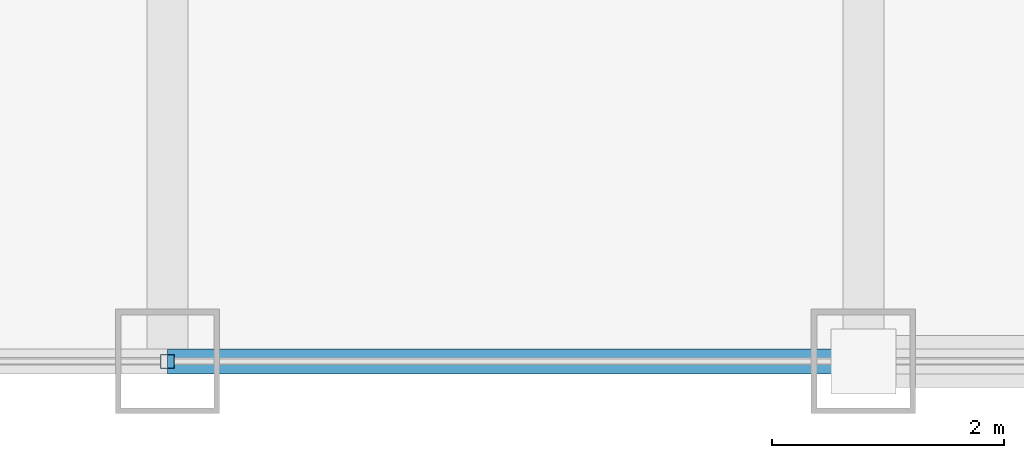
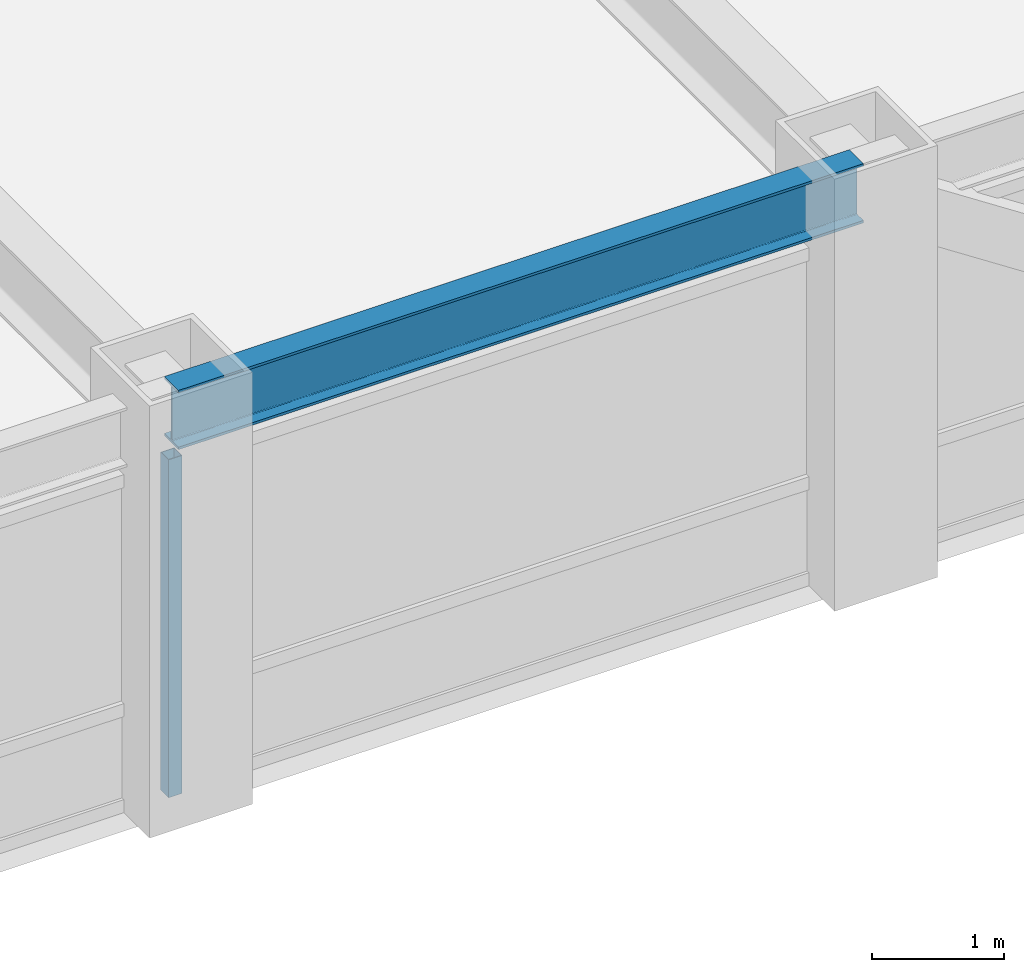
# One storey, part 4 of 22: 1 beam, 1 member, 1 element without a shape of its own.
"""IFC4 building model written with IfcOpenShell, lengths in metres."""

from ifc_helpers import new_model, si_unit, direction, frame, origin, origin_2d, place, context, subcontext, project, spatial, hollow_rectangle, i_section, extrude, source, transform, mapped, material, material_profile, profile_set, type_object, element, aggregate, save


model = new_model("IFC4")

# Units and contexts
model_context = context("Model", 3, precision=1e-05, world=origin(), true_north=direction((0.0, 1.0)))
body_context = subcontext(model_context, "Body", "Model", "MODEL_VIEW")
ifc_project = project(units=[si_unit("LENGTHUNIT", "METRE"), si_unit("AREAUNIT", "SQUARE_METRE"), si_unit("VOLUMEUNIT", "CUBIC_METRE"), si_unit("PLANEANGLEUNIT", "RADIAN"), si_unit("MASSUNIT", "GRAM", prefix="KILO")], contexts=[model_context])

# Site, building, storey
site_placement = place(None, origin())
site = spatial("IfcSite", under=ifc_project, at=site_placement, CompositionType="ELEMENT")
building_placement = place(site_placement, origin())
building = spatial("IfcBuilding", under=site, at=building_placement, Name="Khorayat Bourse Tower", CompositionType="ELEMENT")
storey_placement = place(building_placement, frame((0.0, 0.0, 305.5)))
storey = spatial("IfcBuildingStorey", under=building, at=storey_placement, Name="L72", CompositionType="ELEMENT", Elevation=305.5)

# Beam
ifc_material_1 = material(Name="Steel ASTM A992 Grade 50", Category="steel")
ifc_material_profile_1 = material_profile(ifc_material_1, i_section(OverallWidth=0.214111328125, OverallDepth=0.549072265625, WebThickness=0.0146484375, FlangeThickness=0.023681640625, FilletRadius=0.013916015625, at=origin_2d()), Name="W530X138")
ifc_profile_set_1 = profile_set([ifc_material_profile_1], Name="Steel ASTM A992 Grade 50")
beam_type = type_object("IfcBeamType", Name="BM-SPAN-530", PredefinedType="SPANDREL", material=ifc_profile_set_1)
shared_shape_1 = source(origin(), body_context, "Body", "SweptSolid", [
    extrude(i_section(OverallWidth=0.214111328125, OverallDepth=0.549072265625, WebThickness=0.0146484375, FlangeThickness=0.023681640625, FilletRadius=0.013916015625, at=origin_2d()), origin(), (0.0, 0.0, 1.0), 6.0),
])
beam_placement = place(storey_placement, frame((0.0, -28.0, 3.505615234375), z_axis=(1.0, 0.0, 0.0), x_axis=(0.0, 1.0, 0.0)))
element("IfcBeam", 1, at=beam_placement, inside=storey, type_object=beam_type, Name="L72 BM-SPAN-530 BM-L72-SPN-028", PredefinedType="SPANDREL", context=body_context, shape_type="MappedRepresentation", body=[
    mapped(shared_shape_1, transform((0.0, 0.0, 0.0), scale=1.0)),
])

# Curtain wall, member
ifc_material_2 = material(Name="Aluminium EN AW-6063 T6", Category="aluminium")
curtain_wall_type = type_object("IfcCurtainWallType", Name="CW-SYS-04", PredefinedType="NOTDEFINED", material=ifc_material_2)
curtain_wall_placement = place(storey_placement, origin())
curtain_wall = element("IfcCurtainWall", 2, at=curtain_wall_placement, inside=storey, type_object=curtain_wall_type, Name="L72 Curtain Wall CW-L72-S1", PredefinedType="NOTDEFINED")
ifc_material_profile_2 = material_profile(ifc_material_2, hollow_rectangle(XDim=0.1201171875, YDim=0.1201171875, WallThickness=0.0048828125, at=origin_2d()), Name="ALU 120x120x5")
ifc_profile_set_2 = profile_set([ifc_material_profile_2], Name="Aluminium EN AW-6063 T6")
member_type = type_object("IfcMemberType", Name="CWM-VERT-120", PredefinedType="MULLION", material=ifc_profile_set_2)
shared_shape_2 = source(origin(), body_context, "Body", "SweptSolid", [
    extrude(hollow_rectangle(XDim=0.1201171875, YDim=0.1201171875, WallThickness=0.0048828125, at=origin_2d()), origin(), (0.0, 0.0, 1.0), 3.1298828125),
])
member_placement = place(storey_placement, frame((0.0, -28.0, 0.0), z_axis=(0.0, 0.0, 1.0), x_axis=(0.0, 1.0, 0.0)))
member = element("IfcMember", 3, at=member_placement, type_object=member_type, Name="CW-L72-S1 Vertical Mullion 2", PredefinedType="MULLION", context=body_context, shape_type="MappedRepresentation", body=[
    mapped(shared_shape_2, transform((0.0, 0.0, 0.0), scale=1.0)),
])
aggregate(curtain_wall, [member])

save(model, "model.ifc")
